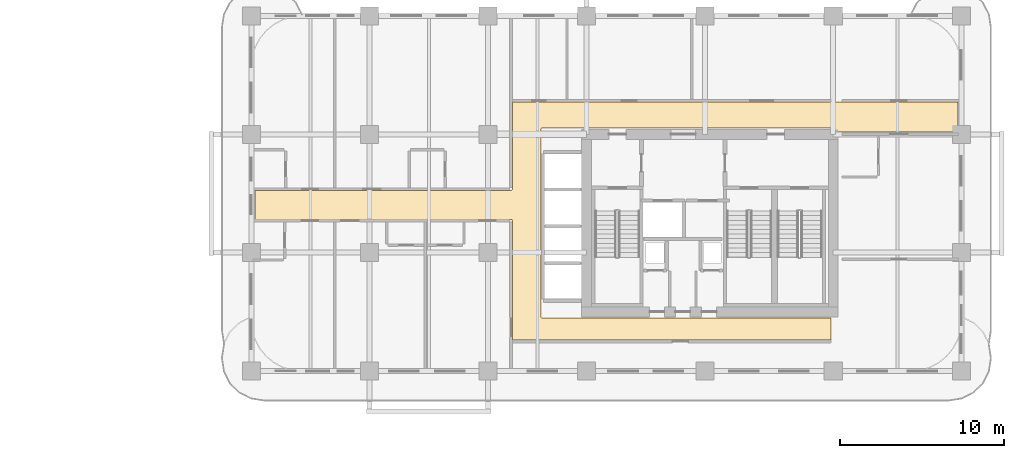
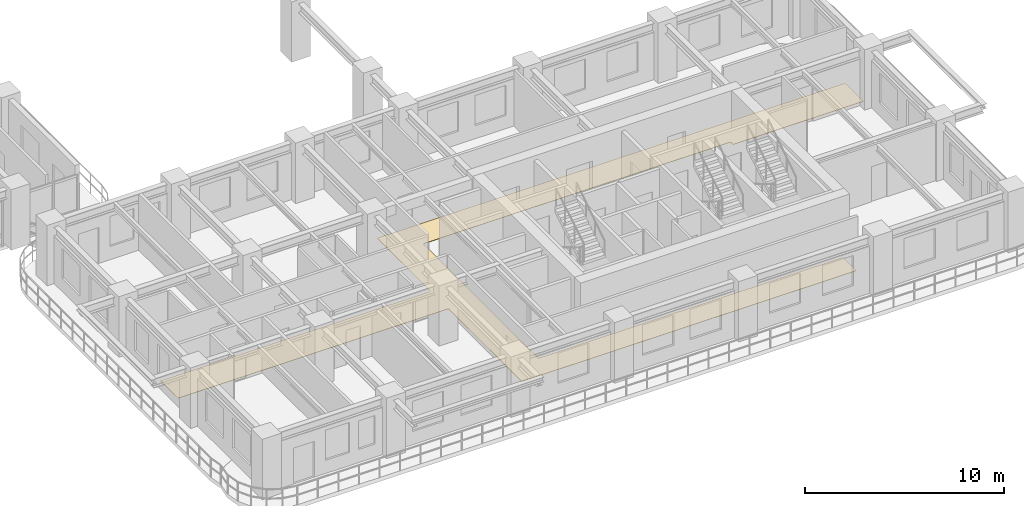
# One storey, part 15 of 18: 1 covering.
"""IFC4 building model written with IfcOpenShell, lengths in metres."""

from ifc_helpers import new_model, si_unit, derived_unit, direction, frame, origin, place, context, subcontext, project, spatial, polyline, outline, extrude, material, layer, layer_set, type_object, element, save


model = new_model("IFC4")

# Units and contexts
model_context = context("Model", 3, precision=1e-05, world=origin(), true_north=direction((0.0, 1.0)))
body_context = subcontext(model_context, "Body", "Model", "MODEL_VIEW")
ifc_project = project(units=[si_unit("LENGTHUNIT", "METRE"), si_unit("AREAUNIT", "SQUARE_METRE"), si_unit("VOLUMEUNIT", "CUBIC_METRE"), si_unit("PLANEANGLEUNIT", "RADIAN"), si_unit("MASSUNIT", "GRAM", prefix="KILO"), si_unit("THERMODYNAMICTEMPERATUREUNIT", "KELVIN"), si_unit("POWERUNIT", "WATT"), derived_unit("THERMALTRANSMITTANCEUNIT", [(si_unit("POWERUNIT", "WATT"), 1), (si_unit("AREAUNIT", "SQUARE_METRE"), -1), (si_unit("THERMODYNAMICTEMPERATUREUNIT", "KELVIN"), -1)])], contexts=[model_context])

# Site, building, storey
site_placement = place(None, origin())
site = spatial("IfcSite", under=ifc_project, at=site_placement, CompositionType="ELEMENT")
building_placement = place(site_placement, origin())
building = spatial("IfcBuilding", under=site, at=building_placement, Name="Zahravan Archway Hotel and Residences", CompositionType="ELEMENT")
storey_placement = place(building_placement, frame((0.0, 0.0, 36.10009765625)))
storey = spatial("IfcBuildingStorey", under=building, at=storey_placement, Name="L07", CompositionType="ELEMENT", Elevation=36.10009765625)

# Covering
ifc_material = material(Name="Engineered Walnut Parquet Flooring")
ifc_layer = layer(ifc_material, 0.02197265625, Name="Engineered Walnut Parquet Flooring")
ifc_layer_set = layer_set([ifc_layer], Name="Engineered Walnut Parquet Flooring")
covering_type = type_object("IfcCoveringType", Name="COV-FLR-TIMB", PredefinedType="FLOORING", material=ifc_layer_set)
covering_placement = place(storey_placement, origin())
element("IfcCovering", 1, at=covering_placement, inside=storey, type_object=covering_type, Name="L07 Circulation Floor Finish", PredefinedType="FLOORING", context=body_context, shape_type="SweptSolid", body=[
    extrude(outline(polyline([(57.3798828125, 14.530029296875), (49.830078125, 14.530029296875), (49.830078125, 14.699951171875), (49.81640625, 14.744384765625), (49.780517578125, 14.77392578125), (32.10009765625, 14.780029296875), (32.0556640625, 14.7666015625), (32.026123046875, 14.730712890625), (32.02001953125, 3.300048828125), (32.033447265625, 3.255615234375), (32.0693359375, 3.22607421875), (49.669921875, 3.219970703125), (49.669921875, 1.8798828125), (30.280029296875, 1.8798828125), (30.280029296875, 9.14990234375), (30.2666015625, 9.1943359375), (30.230712890625, 9.223876953125), (14.6201171875, 9.22998046875), (14.6201171875, 10.989990234375), (30.199951171875, 10.989990234375), (30.244384765625, 11.00341796875), (30.27392578125, 11.039306640625), (30.280029296875, 16.3701171875), (57.3798828125, 16.3701171875), (57.3798828125, 14.530029296875)])), origin(), (0.0, 0.0, 1.0), 0.02197265625),
])

save(model, "model.ifc")
